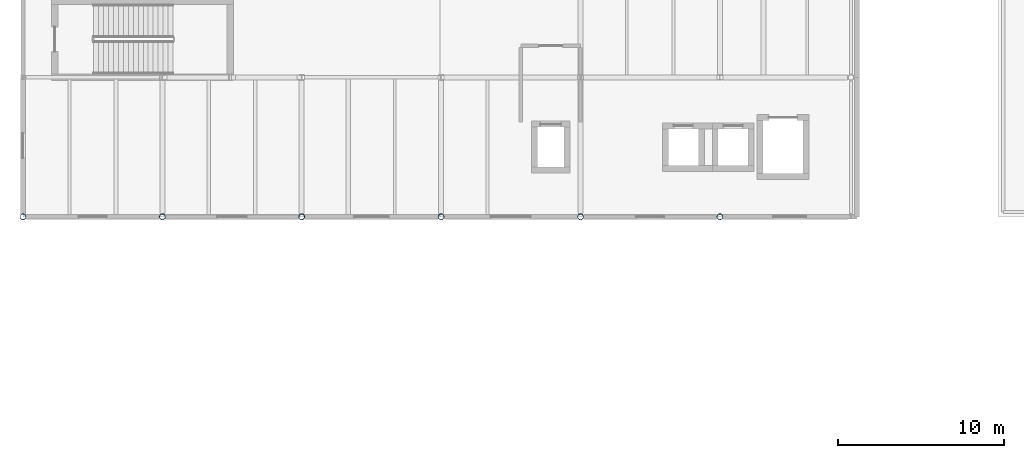
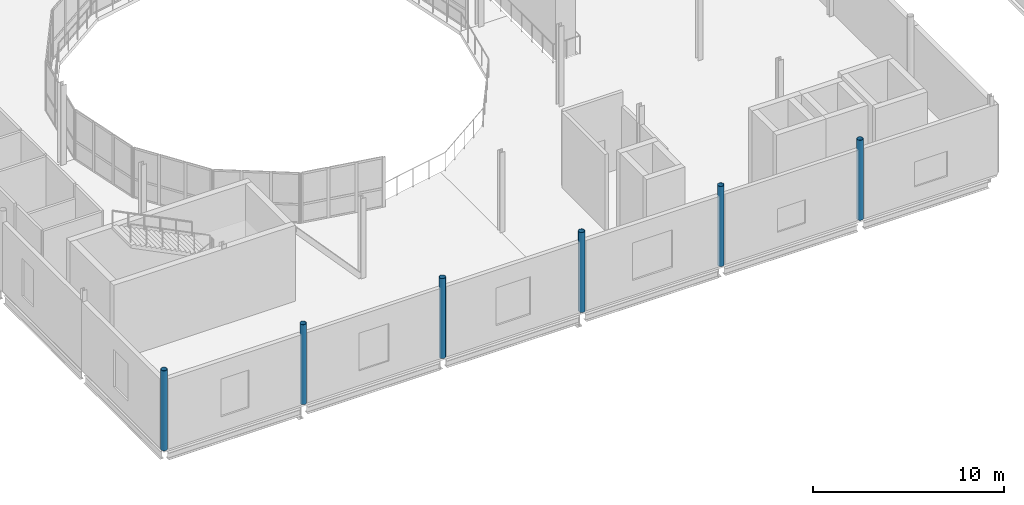
# One storey, part 1 of 91: 6 columns.
"""IFC4 building model written with IfcOpenShell, lengths in metres."""

from ifc_helpers import new_model, si_unit, direction, frame, origin, origin_2d, place, context, subcontext, project, spatial, hollow_circle, extrude, material, material_profile, profile_set, type_object, element, save


model = new_model("IFC4")

# Units and contexts
model_context = context("Model", 3, precision=1e-05, world=origin(), true_north=direction((0.0, 1.0)))
body_context = subcontext(model_context, "Body", "Model", "MODEL_VIEW")
ifc_project = project(units=[si_unit("LENGTHUNIT", "METRE"), si_unit("AREAUNIT", "SQUARE_METRE"), si_unit("VOLUMEUNIT", "CUBIC_METRE"), si_unit("PLANEANGLEUNIT", "RADIAN"), si_unit("MASSUNIT", "GRAM", prefix="KILO"), si_unit("THERMODYNAMICTEMPERATUREUNIT", "KELVIN")], contexts=[model_context])

# Site, building, storey
site_placement = place(None, origin())
site = spatial("IfcSite", under=ifc_project, at=site_placement, CompositionType="ELEMENT")
building_placement = place(site_placement, origin())
building = spatial("IfcBuilding", under=site, at=building_placement, Name="Lustrewick Department Store", CompositionType="ELEMENT")
storey_placement = place(building_placement, frame((0.0, 0.0, 21.60009765625)))
storey = spatial("IfcBuildingStorey", under=building, at=storey_placement, Name="L05", CompositionType="ELEMENT", Elevation=21.60009765625)

# Columns
ifc_material = material(Name="Structural steel Q355B", Category="steel")
ifc_material_profile = material_profile(ifc_material, hollow_circle(Radius=0.177978515625, WallThickness=0.013916015625, at=origin_2d()), Name="CHS 356x14")
ifc_profile_set = profile_set([ifc_material_profile], Name="Structural steel Q355B")
column_type = type_object("IfcColumnType", Name="CE05", PredefinedType="COLUMN", material=ifc_profile_set)
for number, where, z_axis, x_axis, name in (
    (1, (8.39990234375, 42.0, 0.0), (0.0, 0.0, 1.0), (1.0, 0.0, 0.0), "L05 V1 Column CE05"),
    (2, (16.800048828125, 42.0, 0.0), (0.0, 0.0, 1.0), (1.0, 0.0, 0.0), "L05 V1 Column CE05"),
    (3, (25.199951171875, 42.0, 0.0), (0.0, 0.0, 1.0), (1.0, 0.0, 0.0), "L05 V1 Column CE05"),
    (4, (33.60009765625, 42.0, 0.0), (0.0, 0.0, 1.0), (1.0, 0.0, 0.0), "L05 V1 Column CE05"),
    (5, (42.0, 42.0, 0.0), (0.0, 0.0, 1.0), (1.0, 0.0, 0.0), "L05 V1 Column CE05"),
    (6, (50.39990234375, 42.0, 0.0), (0.0, 0.0, 1.0), (1.0, 0.0, 0.0), "L05 V1 Column CE05"),
):
    element("IfcColumn", number, at=place(storey_placement, frame(where, z_axis=z_axis, x_axis=x_axis)), inside=storey, type_object=column_type, Name=name, PredefinedType="COLUMN", context=body_context, shape_type="SweptSolid", body=[
        extrude(hollow_circle(Radius=0.177978515625, WallThickness=0.013916015625, at=origin_2d()), origin(), (0.0, 0.0, 1.0), 5.099853515625),
    ])

save(model, "model.ifc")
